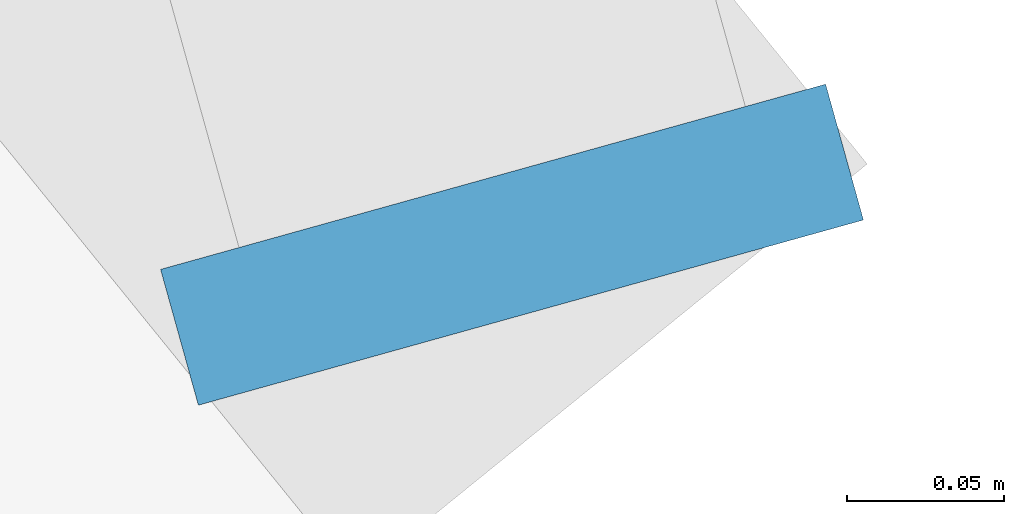
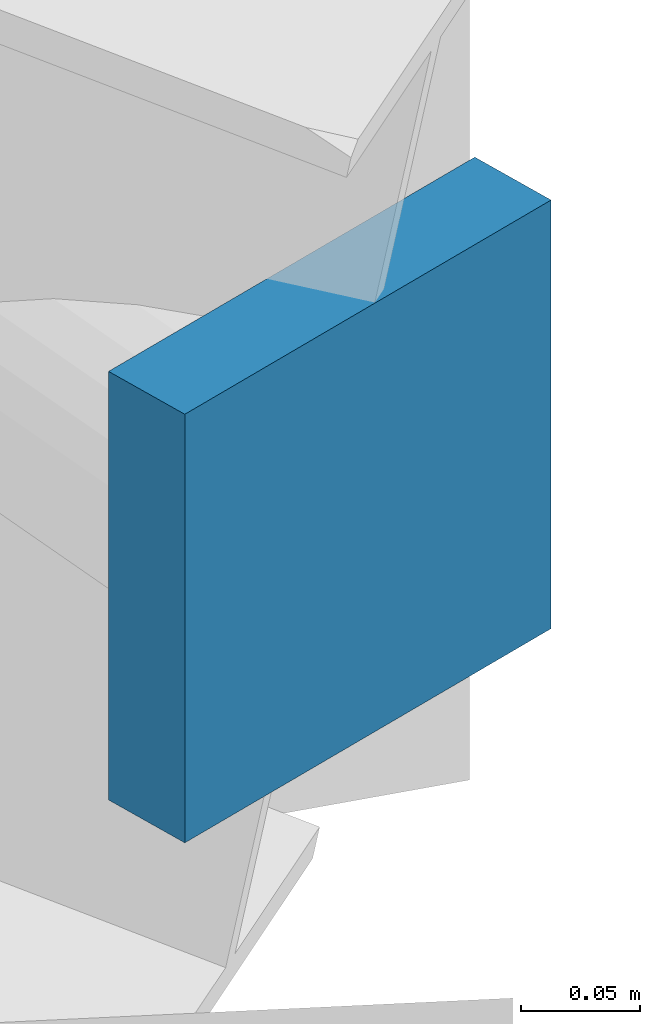
# One storey, part 22 of 39: 1 plate.
"""IFC4 building model written with IfcOpenShell, lengths in metres."""

import ifcopenshell
import ifcopenshell.guid

model = None  # the IFC model being written
_history = None  # IfcOwnerHistory: only IFC2X3 demands one
_inside = {}  # id of a spatial element -> (the spatial element, [elements in it])
_under = {}  # id of a project, library or spatial element -> (it, [spatial elements below it])
_declared = {}  # id of a project -> (the project, [libraries it declares])
_typed = {}  # id of a type object -> (the type object, [elements of that type])
_made_of = {}  # id of a material, layer set ... -> (it, [elements and type objects made of it])


def new_model(schema):
    """Start an empty IFC model of exactly this schema.

    Asked for "IFC4X3", IfcOpenShell would pick the latest addendum, in which some entities
    have other attributes; the version numbers below select the first issue.
    IFC2X3 requires an IfcOwnerHistory on every rooted entity: one is made here for all.
    """
    global model, _history
    if schema == "IFC4X3":
        model = ifcopenshell.file(schema_version=(4, 3, 0, 0))
    else:
        model = ifcopenshell.file(schema=schema)
    _inside.clear()
    _under.clear()
    _declared.clear()
    _typed.clear()
    _made_of.clear()
    _history = None
    if model.schema == "IFC2X3":
        org = make("IfcOrganization", Name="unknown")
        user = make(
            "IfcPersonAndOrganization",
            ThePerson=make("IfcPerson", FamilyName="unknown"),
            TheOrganization=org,
        )
        app = make(
            "IfcApplication",
            ApplicationDeveloper=org,
            Version="unknown",
            ApplicationFullName="unknown",
            ApplicationIdentifier="unknown",
        )
        _history = make(
            "IfcOwnerHistory",
            OwningUser=user,
            OwningApplication=app,
            ChangeAction="ADDED",
            CreationDate=0,
        )
    return model


def make(cls, **values):
    """One entity of the class cls with the attributes given. An attribute that is None is left unset."""
    return model.create_entity(
        cls, **{name: value for name, value in values.items() if value is not None}
    )


def rooted(cls, **values):
    """An entity with a GlobalId (a new one), such as an element, a storey or a relation."""
    return make(cls, GlobalId=ifcopenshell.guid.new(), OwnerHistory=_history, **values)


def si_unit(unit_type, name, prefix=None):
    """IfcSIUnit, for example si_unit("LENGTHUNIT", "METRE", prefix="MILLI")."""
    return make("IfcSIUnit", UnitType=unit_type, Prefix=prefix, Name=name)


def assignment(units):
    """IfcUnitAssignment: the units of a project."""
    return None if units is None else make("IfcUnitAssignment", Units=units)


def point(xyz):
    """IfcCartesianPoint."""
    return None if xyz is None else make("IfcCartesianPoint", Coordinates=xyz)


def direction(xyz):
    """IfcDirection."""
    return None if xyz is None else make("IfcDirection", DirectionRatios=xyz)


def frame(location, z_axis=None, x_axis=None):
    """IfcAxis2Placement3D, a coordinate frame: its origin and axes. An axis left out is left unset."""
    return make(
        "IfcAxis2Placement3D",
        Location=point(location),
        Axis=direction(z_axis),
        RefDirection=direction(x_axis),
    )


def frame_2d(location, x_axis=None):
    """IfcAxis2Placement2D, a coordinate frame in the plane: its origin and x axis."""
    return make(
        "IfcAxis2Placement2D", Location=point(location), RefDirection=direction(x_axis)
    )


def origin():
    """The frame at (0, 0, 0) with its axes left unset."""
    return frame((0.0, 0.0, 0.0))


def origin_2d():
    """The frame at (0, 0) in the plane with its x axis left unset."""
    return frame_2d((0.0, 0.0))


def place(relative_to, where):
    """IfcLocalPlacement: puts the frame where relative to a parent placement (None: the world)."""
    return make(
        "IfcLocalPlacement", PlacementRelTo=relative_to, RelativePlacement=where
    )


def context(
    kind, dimensions, precision=None, world=None, true_north=None, identifier=None
):
    """IfcGeometricRepresentationContext, for example the 3D "Model" context."""
    return make(
        "IfcGeometricRepresentationContext",
        ContextIdentifier=identifier,
        ContextType=kind,
        CoordinateSpaceDimension=dimensions,
        Precision=precision,
        WorldCoordinateSystem=world,
        TrueNorth=true_north,
    )


def subcontext(parent, identifier, kind, view, scale=None):
    """IfcGeometricRepresentationSubContext, for example "Body" below "Model"."""
    return make(
        "IfcGeometricRepresentationSubContext",
        ContextIdentifier=identifier,
        ContextType=kind,
        ParentContext=parent,
        TargetScale=scale,
        TargetView=view,
    )


def project(units=None, contexts=None):
    """IfcProject with its units and contexts."""
    return rooted(
        "IfcProject",
        Name="project",
        RepresentationContexts=contexts,
        UnitsInContext=assignment(units),
    )


def spatial(cls, under=None, at=None, **own):
    """A site, building, storey or space (cls), placed at a placement, below another one or the project."""
    s = rooted(cls, ObjectPlacement=at, **own)
    if under is not None:
        _under.setdefault(under.id(), (under, []))[1].append(s)
    return s


def profile(cls, at=None, kind="AREA", **sizes):
    """A parametric profile (cls). Its sizes go by their IFC names, for example OverallWidth=200.0."""
    return make(cls, ProfileType=kind, Position=at, **sizes)


def rectangle(**sizes):
    """IfcRectangleProfileDef."""
    return profile("IfcRectangleProfileDef", **sizes)


def extrude(swept, where, along, depth):
    """IfcExtrudedAreaSolid: the profile swept, set in the frame where, extruded along a direction by depth."""
    return make(
        "IfcExtrudedAreaSolid",
        SweptArea=swept,
        Position=where,
        ExtrudedDirection=direction(along),
        Depth=depth,
    )


def shape(context_of_items, identifier, shape_type, items):
    """IfcShapeRepresentation: the items that make up one representation, for example the "Body"."""
    return make(
        "IfcShapeRepresentation",
        ContextOfItems=context_of_items,
        RepresentationIdentifier=identifier,
        RepresentationType=shape_type,
        Items=items,
    )


def material(Name=None, Category=None):
    """IfcMaterial."""
    return make("IfcMaterial", Name=Name, Category=Category)


def layer(
    of_material, thickness, ventilated=None, Name=None, Category=None, Priority=None
):
    """IfcMaterialLayer: one layer of a wall or slab, of a material (None: an air gap)."""
    return make(
        "IfcMaterialLayer",
        Material=of_material,
        LayerThickness=thickness,
        IsVentilated=ventilated,
        Name=Name,
        Category=Category,
        Priority=Priority,
    )


def layer_set(layers, Name=None):
    """IfcMaterialLayerSet."""
    return make("IfcMaterialLayerSet", MaterialLayers=layers, LayerSetName=Name)


def made_of(thing, what):
    """Note that an element or type object is made of a material, layer set ...; save() writes the relation."""
    if what is not None:
        _made_of.setdefault(what.id(), (what, []))[1].append(thing)
    return thing


def type_object(cls, material=None, **own):
    """A type object (cls), such as IfcWallType, which elements share."""
    return made_of(rooted(cls, **own), material)


def element(
    cls,
    number,
    at=None,
    inside=None,
    cuts=None,
    type_object=None,
    material=None,
    context=None,
    identifier="Body",
    shape_type=None,
    held_by="IfcProductDefinitionShape",
    body=None,
    shapes=None,
    **own,
):
    """One element of the class cls, such as IfcWall. Its Tag is "e" and its number.

    at: its placement. inside: the storey or other place that contains it. cuts: it is an
    opening in that element (IfcRelVoidsElement). A single representation is given by context,
    identifier, shape_type and body (its items); several are given by shapes. held_by: the class
    of the entity that holds the representations. save() writes the other relations.
    """
    e = rooted(cls, Tag="e%d" % number, ObjectPlacement=at, **own)
    if body is not None:
        shapes = [shape(context, identifier, shape_type, body)]
    if shapes is not None:
        e.Representation = make(held_by, Representations=shapes)
    if inside is not None:
        _inside.setdefault(inside.id(), (inside, []))[1].append(e)
    if cuts is not None:
        rooted(
            "IfcRelVoidsElement", RelatingBuildingElement=cuts, RelatedOpeningElement=e
        )
    if type_object is not None:
        _typed.setdefault(type_object.id(), (type_object, []))[1].append(e)
    return made_of(e, material)


def aggregate(whole, parts):
    """IfcRelAggregates: a whole, such as a stair, and the parts it consists of."""
    return rooted("IfcRelAggregates", RelatingObject=whole, RelatedObjects=parts)


def save(model, path):
    """Write the relations noted so far, then the file.

    IfcRelAggregates (storeys below a building ...), IfcRelContainedInSpatialStructure (elements
    in a storey), IfcRelDefinesByType, IfcRelAssociatesMaterial and IfcRelDeclares: one each for
    every whole, place, type object, material and project.
    """
    for whole, parts in _under.values():
        aggregate(whole, parts)
    for where, things in _inside.values():
        rooted(
            "IfcRelContainedInSpatialStructure",
            RelatedElements=things,
            RelatingStructure=where,
        )
    for kind, things in _typed.values():
        rooted("IfcRelDefinesByType", RelatedObjects=things, RelatingType=kind)
    for what, things in _made_of.values():
        rooted("IfcRelAssociatesMaterial", RelatedObjects=things, RelatingMaterial=what)
    for by, libraries in _declared.values():
        rooted("IfcRelDeclares", RelatingContext=by, RelatedDefinitions=libraries)
    model.write(path)


model = new_model("IFC4")

# Units and contexts
model_context = context("Model", 3, precision=1e-05, world=origin(), true_north=direction((0.0, 1.0)))
body_context = subcontext(model_context, "Body", "Model", "MODEL_VIEW")
ifc_project = project(units=[si_unit("LENGTHUNIT", "METRE"), si_unit("AREAUNIT", "SQUARE_METRE"), si_unit("VOLUMEUNIT", "CUBIC_METRE"), si_unit("PLANEANGLEUNIT", "RADIAN"), si_unit("MASSUNIT", "GRAM", prefix="KILO")], contexts=[model_context])

# Site, building, storey
site_placement = place(None, origin())
site = spatial("IfcSite", under=ifc_project, at=site_placement, CompositionType="ELEMENT")
building_placement = place(site_placement, origin())
building = spatial("IfcBuilding", under=site, at=building_placement, Name="Corvandel Quay Wholesale Market", CompositionType="ELEMENT")
storey_placement = place(building_placement, frame((0.0, 0.0, 15.0)))
storey = spatial("IfcBuildingStorey", under=building, at=storey_placement, Name="L03", CompositionType="ELEMENT", Elevation=15.0)

# Plate
ifc_material = material(Name="Steel A572 Grade 50", Category="steel")
ifc_layer = layer(ifc_material, 0.044921875)
ifc_layer_set = layer_set([ifc_layer], Name="Steel A572 Grade 50")
plate_type = type_object("IfcPlateType", Name="Steel Brace End Cap Plate PLT02 45mm", PredefinedType="SHEET", material=ifc_layer_set)
plate_placement = place(storey_placement, frame((211.030517578125, 39.60986328125, -0.669921875), z_axis=(0.0, 0.0, 1.0), x_axis=(0.963350073517, 0.268247340815, 0.0)))
element("IfcPlate", 1, at=plate_placement, inside=storey, type_object=plate_type, Name="HSS Cap Plate PLT-0104", PredefinedType="SHEET", context=body_context, shape_type="SweptSolid", body=[
    extrude(rectangle(XDim=0.219970703125, YDim=0.044921875, at=origin_2d()), origin(), (0.0, 0.0, 1.0), 0.219970703125),
])

save(model, "model.ifc")
